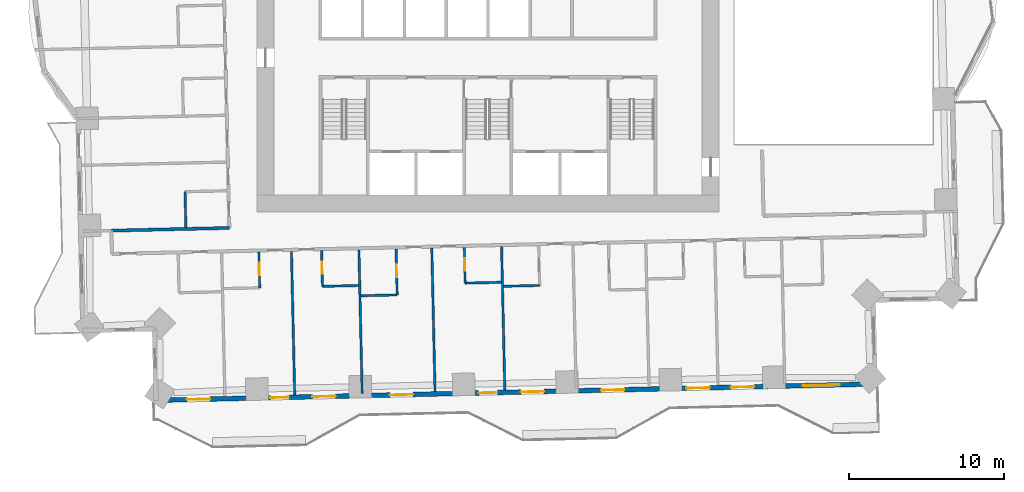
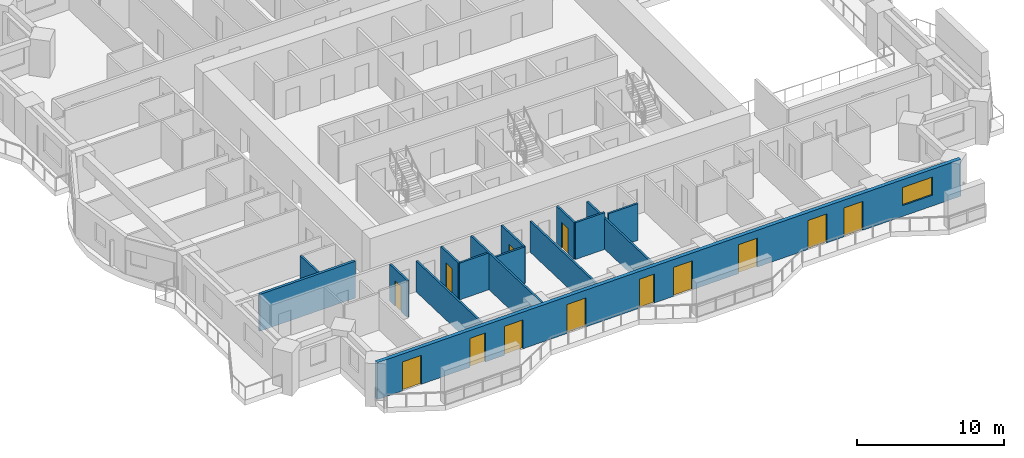
# One storey, part 6 of 17: 15 walls, 13 doors, 1 window, 14 openings.
"""IFC4 building model written with IfcOpenShell, lengths in metres."""

import ifcopenshell
import ifcopenshell.guid

model = None  # the IFC model being written
_history = None  # IfcOwnerHistory: only IFC2X3 demands one
_inside = {}  # id of a spatial element -> (the spatial element, [elements in it])
_under = {}  # id of a project, library or spatial element -> (it, [spatial elements below it])
_declared = {}  # id of a project -> (the project, [libraries it declares])
_typed = {}  # id of a type object -> (the type object, [elements of that type])
_made_of = {}  # id of a material, layer set ... -> (it, [elements and type objects made of it])


def new_model(schema):
    """Start an empty IFC model of exactly this schema.

    Asked for "IFC4X3", IfcOpenShell would pick the latest addendum, in which some entities
    have other attributes; the version numbers below select the first issue.
    IFC2X3 requires an IfcOwnerHistory on every rooted entity: one is made here for all.
    """
    global model, _history
    if schema == "IFC4X3":
        model = ifcopenshell.file(schema_version=(4, 3, 0, 0))
    else:
        model = ifcopenshell.file(schema=schema)
    _inside.clear()
    _under.clear()
    _declared.clear()
    _typed.clear()
    _made_of.clear()
    _history = None
    if model.schema == "IFC2X3":
        org = make("IfcOrganization", Name="unknown")
        user = make(
            "IfcPersonAndOrganization",
            ThePerson=make("IfcPerson", FamilyName="unknown"),
            TheOrganization=org,
        )
        app = make(
            "IfcApplication",
            ApplicationDeveloper=org,
            Version="unknown",
            ApplicationFullName="unknown",
            ApplicationIdentifier="unknown",
        )
        _history = make(
            "IfcOwnerHistory",
            OwningUser=user,
            OwningApplication=app,
            ChangeAction="ADDED",
            CreationDate=0,
        )
    return model


def make(cls, **values):
    """One entity of the class cls with the attributes given. An attribute that is None is left unset."""
    return model.create_entity(
        cls, **{name: value for name, value in values.items() if value is not None}
    )


def rooted(cls, **values):
    """An entity with a GlobalId (a new one), such as an element, a storey or a relation."""
    return make(cls, GlobalId=ifcopenshell.guid.new(), OwnerHistory=_history, **values)


def si_unit(unit_type, name, prefix=None):
    """IfcSIUnit, for example si_unit("LENGTHUNIT", "METRE", prefix="MILLI")."""
    return make("IfcSIUnit", UnitType=unit_type, Prefix=prefix, Name=name)


def assignment(units):
    """IfcUnitAssignment: the units of a project."""
    return None if units is None else make("IfcUnitAssignment", Units=units)


def point(xyz):
    """IfcCartesianPoint."""
    return None if xyz is None else make("IfcCartesianPoint", Coordinates=xyz)


def direction(xyz):
    """IfcDirection."""
    return None if xyz is None else make("IfcDirection", DirectionRatios=xyz)


def frame(location, z_axis=None, x_axis=None):
    """IfcAxis2Placement3D, a coordinate frame: its origin and axes. An axis left out is left unset."""
    return make(
        "IfcAxis2Placement3D",
        Location=point(location),
        Axis=direction(z_axis),
        RefDirection=direction(x_axis),
    )


def frame_2d(location, x_axis=None):
    """IfcAxis2Placement2D, a coordinate frame in the plane: its origin and x axis."""
    return make(
        "IfcAxis2Placement2D", Location=point(location), RefDirection=direction(x_axis)
    )


def origin():
    """The frame at (0, 0, 0) with its axes left unset."""
    return frame((0.0, 0.0, 0.0))


def place(relative_to, where):
    """IfcLocalPlacement: puts the frame where relative to a parent placement (None: the world)."""
    return make(
        "IfcLocalPlacement", PlacementRelTo=relative_to, RelativePlacement=where
    )


def context(
    kind, dimensions, precision=None, world=None, true_north=None, identifier=None
):
    """IfcGeometricRepresentationContext, for example the 3D "Model" context."""
    return make(
        "IfcGeometricRepresentationContext",
        ContextIdentifier=identifier,
        ContextType=kind,
        CoordinateSpaceDimension=dimensions,
        Precision=precision,
        WorldCoordinateSystem=world,
        TrueNorth=true_north,
    )


def subcontext(parent, identifier, kind, view, scale=None):
    """IfcGeometricRepresentationSubContext, for example "Body" below "Model"."""
    return make(
        "IfcGeometricRepresentationSubContext",
        ContextIdentifier=identifier,
        ContextType=kind,
        ParentContext=parent,
        TargetScale=scale,
        TargetView=view,
    )


def project(units=None, contexts=None):
    """IfcProject with its units and contexts."""
    return rooted(
        "IfcProject",
        Name="project",
        RepresentationContexts=contexts,
        UnitsInContext=assignment(units),
    )


def spatial(cls, under=None, at=None, **own):
    """A site, building, storey or space (cls), placed at a placement, below another one or the project."""
    s = rooted(cls, ObjectPlacement=at, **own)
    if under is not None:
        _under.setdefault(under.id(), (under, []))[1].append(s)
    return s


def profile(cls, at=None, kind="AREA", **sizes):
    """A parametric profile (cls). Its sizes go by their IFC names, for example OverallWidth=200.0."""
    return make(cls, ProfileType=kind, Position=at, **sizes)


def rectangle(**sizes):
    """IfcRectangleProfileDef."""
    return profile("IfcRectangleProfileDef", **sizes)


def extrude(swept, where, along, depth):
    """IfcExtrudedAreaSolid: the profile swept, set in the frame where, extruded along a direction by depth."""
    return make(
        "IfcExtrudedAreaSolid",
        SweptArea=swept,
        Position=where,
        ExtrudedDirection=direction(along),
        Depth=depth,
    )


def shape(context_of_items, identifier, shape_type, items):
    """IfcShapeRepresentation: the items that make up one representation, for example the "Body"."""
    return make(
        "IfcShapeRepresentation",
        ContextOfItems=context_of_items,
        RepresentationIdentifier=identifier,
        RepresentationType=shape_type,
        Items=items,
    )


def material(Name=None, Category=None):
    """IfcMaterial."""
    return make("IfcMaterial", Name=Name, Category=Category)


def layer(
    of_material, thickness, ventilated=None, Name=None, Category=None, Priority=None
):
    """IfcMaterialLayer: one layer of a wall or slab, of a material (None: an air gap)."""
    return make(
        "IfcMaterialLayer",
        Material=of_material,
        LayerThickness=thickness,
        IsVentilated=ventilated,
        Name=Name,
        Category=Category,
        Priority=Priority,
    )


def layer_set(layers, Name=None):
    """IfcMaterialLayerSet."""
    return make("IfcMaterialLayerSet", MaterialLayers=layers, LayerSetName=Name)


def made_of(thing, what):
    """Note that an element or type object is made of a material, layer set ...; save() writes the relation."""
    if what is not None:
        _made_of.setdefault(what.id(), (what, []))[1].append(thing)
    return thing


def type_object(cls, material=None, **own):
    """A type object (cls), such as IfcWallType, which elements share."""
    return made_of(rooted(cls, **own), material)


def element(
    cls,
    number,
    at=None,
    inside=None,
    cuts=None,
    type_object=None,
    material=None,
    context=None,
    identifier="Body",
    shape_type=None,
    held_by="IfcProductDefinitionShape",
    body=None,
    shapes=None,
    **own,
):
    """One element of the class cls, such as IfcWall. Its Tag is "e" and its number.

    at: its placement. inside: the storey or other place that contains it. cuts: it is an
    opening in that element (IfcRelVoidsElement). A single representation is given by context,
    identifier, shape_type and body (its items); several are given by shapes. held_by: the class
    of the entity that holds the representations. save() writes the other relations.
    """
    e = rooted(cls, Tag="e%d" % number, ObjectPlacement=at, **own)
    if body is not None:
        shapes = [shape(context, identifier, shape_type, body)]
    if shapes is not None:
        e.Representation = make(held_by, Representations=shapes)
    if inside is not None:
        _inside.setdefault(inside.id(), (inside, []))[1].append(e)
    if cuts is not None:
        rooted(
            "IfcRelVoidsElement", RelatingBuildingElement=cuts, RelatedOpeningElement=e
        )
    if type_object is not None:
        _typed.setdefault(type_object.id(), (type_object, []))[1].append(e)
    return made_of(e, material)


def fill(opening, filler):
    """IfcRelFillsElement: the door or window that sits in an opening."""
    return rooted(
        "IfcRelFillsElement",
        RelatingOpeningElement=opening,
        RelatedBuildingElement=filler,
    )


def aggregate(whole, parts):
    """IfcRelAggregates: a whole, such as a stair, and the parts it consists of."""
    return rooted("IfcRelAggregates", RelatingObject=whole, RelatedObjects=parts)


def save(model, path):
    """Write the relations noted so far, then the file.

    IfcRelAggregates (storeys below a building ...), IfcRelContainedInSpatialStructure (elements
    in a storey), IfcRelDefinesByType, IfcRelAssociatesMaterial and IfcRelDeclares: one each for
    every whole, place, type object, material and project.
    """
    for whole, parts in _under.values():
        aggregate(whole, parts)
    for where, things in _inside.values():
        rooted(
            "IfcRelContainedInSpatialStructure",
            RelatedElements=things,
            RelatingStructure=where,
        )
    for kind, things in _typed.values():
        rooted("IfcRelDefinesByType", RelatedObjects=things, RelatingType=kind)
    for what, things in _made_of.values():
        rooted("IfcRelAssociatesMaterial", RelatedObjects=things, RelatingMaterial=what)
    for by, libraries in _declared.values():
        rooted("IfcRelDeclares", RelatingContext=by, RelatedDefinitions=libraries)
    model.write(path)


model = new_model("IFC4")

# Units and contexts
model_context = context("Model", 3, precision=1e-05, world=origin(), true_north=direction((0.0, 1.0)))
body_context = subcontext(model_context, "Body", "Model", "MODEL_VIEW")
ifc_project = project(units=[si_unit("LENGTHUNIT", "METRE"), si_unit("AREAUNIT", "SQUARE_METRE"), si_unit("VOLUMEUNIT", "CUBIC_METRE"), si_unit("PLANEANGLEUNIT", "RADIAN"), si_unit("MASSUNIT", "GRAM", prefix="KILO")], contexts=[model_context])

# Site, building, storey
site_placement = place(None, origin())
site = spatial("IfcSite", under=ifc_project, at=site_placement, CompositionType="ELEMENT")
building_placement = place(site_placement, origin())
building = spatial("IfcBuilding", under=site, at=building_placement, Name="Mangrove Gate Tower", CompositionType="ELEMENT")
storey_placement = place(building_placement, frame((0.0, 0.0, 79.300048828125)))
storey = spatial("IfcBuildingStorey", under=building, at=storey_placement, Name="L19", CompositionType="ELEMENT", Elevation=79.300048828125)

# Wall
ifc_material_1 = material(Name="Gypsum board on steel stud, EI 60", Category="steel")
ifc_layer_1 = layer(ifc_material_1, 0.199951171875)
ifc_layer_set_1 = layer_set([ifc_layer_1], Name="Corridor wall EI 60")
wall_type_1 = type_object("IfcWallType", Name="Corridor wall EI 60", PredefinedType="PARTITIONING", material=ifc_layer_set_1)
wall_1_placement = place(storey_placement, frame((-24.282958984375, -13.091064453125, 0.0), z_axis=(0.0, 0.0, 1.0), x_axis=(0.999741006317, 0.022757862116, 0.0)))
element("IfcWall", 1, at=wall_1_placement, inside=storey, type_object=wall_type_1, Name="WALL-L19-034", PredefinedType="PARTITIONING", context=body_context, shape_type="SweptSolid", body=[
    extrude(rectangle(XDim=7.60595703125, YDim=0.199951171875, at=frame_2d((3.802978515625, 0.0))), origin(), (0.0, 0.0, 1.0), 3.050048828125),
])

# Wall, openings, doors, window
ifc_material_2 = material(Name="Limestone", Category="masonry")
ifc_layer_2 = layer(ifc_material_2, 0.0400390625, Name="Limestone cladding")
ifc_material_3 = material(Name="Ventilated air gap")
ifc_layer_3 = layer(ifc_material_3, 0.0400390625, Name="Ventilated cavity")
ifc_material_4 = material(Name="Mineral wool insulation")
ifc_layer_4 = layer(ifc_material_4, 0.06005859375, Name="Insulation")
ifc_material_5 = material(Name="Breather membrane")
ifc_layer_5 = layer(ifc_material_5, 0.001953125, Name="Breather membrane")
ifc_material_6 = material(Name="Concrete C20/25 blockwork", Category="masonry")
ifc_layer_6 = layer(ifc_material_6, 0.14990234375, Name="Blockwork backing wall")
ifc_material_7 = material(Name="Gypsum plaster")
ifc_layer_7 = layer(ifc_material_7, 0.008056640625, Name="Internal plaster")
ifc_layer_set_2 = layer_set([ifc_layer_2, ifc_layer_3, ifc_layer_4, ifc_layer_5, ifc_layer_6, ifc_layer_7], Name="External wall 300 limestone cladding")
wall_type_2 = type_object("IfcWallType", Name="External wall 300 limestone cladding", PredefinedType="SOLIDWALL", material=ifc_layer_set_2)
wall_2_placement = place(storey_placement, frame((-21.408935546875, -24.029052734375, 0.0), z_axis=(0.0, 0.0, 1.0), x_axis=(0.999742634032, 0.022686244721, 0.0)))
wall_2 = element("IfcWall", 2, at=wall_2_placement, inside=storey, type_object=wall_type_2, Name="WALL-L19-S13", PredefinedType="SOLIDWALL", context=body_context, shape_type="SweptSolid", body=[
    extrude(rectangle(XDim=46.371826171875, YDim=0.300048828125, at=frame_2d((23.18603515625, 0.0))), origin(), (0.0, 0.0, 1.0), 3.050048828125),
])
opening_1_placement = place(wall_2_placement, frame((1.985107421875, 0.0, 0.0)))
opening_1 = element("IfcOpeningElement", 3, at=opening_1_placement, cuts=wall_2, Name="Opening BD1", PredefinedType="OPENING", context=body_context, shape_type="SweptSolid", body=[
    extrude(rectangle(XDim=1.5, YDim=2.39990234375, at=frame_2d((0.75, 1.199951171875))), frame((0.0, 0.159912109375, 0.0), z_axis=(0.0, -1.0, 0.0), x_axis=(1.0, 0.0, 0.0)), (0.0, 0.0, 1.0), 0.320068359375),
])
opening_2_placement = place(wall_2_placement, frame((7.37109375, 0.0, 0.0)))
opening_2 = element("IfcOpeningElement", 4, at=opening_2_placement, cuts=wall_2, Name="Opening BD2", PredefinedType="OPENING", context=body_context, shape_type="SweptSolid", body=[
    extrude(rectangle(XDim=1.199951171875, YDim=2.39990234375, at=frame_2d((0.60009765625, 1.199951171875))), frame((0.0, 0.159912109375, 0.0), z_axis=(0.0, -1.0, 0.0), x_axis=(1.0, 0.0, 0.0)), (0.0, 0.0, 1.0), 0.320068359375),
])
opening_3_placement = place(wall_2_placement, frame((10.080078125, 0.0, 0.0)))
opening_3 = element("IfcOpeningElement", 5, at=opening_3_placement, cuts=wall_2, Name="Opening BD1", PredefinedType="OPENING", context=body_context, shape_type="SweptSolid", body=[
    extrude(rectangle(XDim=1.5, YDim=2.39990234375, at=frame_2d((0.75, 1.199951171875))), frame((0.0, 0.159912109375, 0.0), z_axis=(0.0, -1.0, 0.0), x_axis=(1.0, 0.0, 0.0)), (0.0, 0.0, 1.0), 0.320068359375),
])
opening_4_placement = place(wall_2_placement, frame((15.080078125, 0.0, 0.0)))
opening_4 = element("IfcOpeningElement", 6, at=opening_4_placement, cuts=wall_2, Name="Opening BD1", PredefinedType="OPENING", context=body_context, shape_type="SweptSolid", body=[
    extrude(rectangle(XDim=1.5, YDim=2.39990234375, at=frame_2d((0.75, 1.199951171875))), frame((0.0, 0.159912109375, 0.0), z_axis=(0.0, -1.0, 0.0), x_axis=(1.0, 0.0, 0.0)), (0.0, 0.0, 1.0), 0.320068359375),
])
opening_5_placement = place(wall_2_placement, frame((20.81298828125, 0.0, 0.0)))
opening_5 = element("IfcOpeningElement", 7, at=opening_5_placement, cuts=wall_2, Name="Opening BD2", PredefinedType="OPENING", context=body_context, shape_type="SweptSolid", body=[
    extrude(rectangle(XDim=1.199951171875, YDim=2.39990234375, at=frame_2d((0.60009765625, 1.199951171875))), frame((0.0, 0.159912109375, 0.0), z_axis=(0.0, -1.0, 0.0), x_axis=(1.0, 0.0, 0.0)), (0.0, 0.0, 1.0), 0.320068359375),
])
opening_6_placement = place(wall_2_placement, frame((23.52197265625, 0.0, 0.0)))
opening_6 = element("IfcOpeningElement", 8, at=opening_6_placement, cuts=wall_2, Name="Opening BD1", PredefinedType="OPENING", context=body_context, shape_type="SweptSolid", body=[
    extrude(rectangle(XDim=1.5, YDim=2.39990234375, at=frame_2d((0.75, 1.199951171875))), frame((0.0, 0.159912109375, 0.0), z_axis=(0.0, -1.0, 0.0), x_axis=(1.0, 0.0, 0.0)), (0.0, 0.0, 1.0), 0.320068359375),
])
opening_7_placement = place(wall_2_placement, frame((28.699951171875, 0.0, 0.0)))
opening_7 = element("IfcOpeningElement", 9, at=opening_7_placement, cuts=wall_2, Name="Opening BD1", PredefinedType="OPENING", context=body_context, shape_type="SweptSolid", body=[
    extrude(rectangle(XDim=1.5, YDim=2.39990234375, at=frame_2d((0.75, 1.199951171875))), frame((0.0, 0.159912109375, 0.0), z_axis=(0.0, -1.0, 0.0), x_axis=(1.0, 0.0, 0.0)), (0.0, 0.0, 1.0), 0.320068359375),
])
opening_8_placement = place(wall_2_placement, frame((34.2060546875, 0.0, 0.0)))
opening_8 = element("IfcOpeningElement", 10, at=opening_8_placement, cuts=wall_2, Name="Opening BD1", PredefinedType="OPENING", context=body_context, shape_type="SweptSolid", body=[
    extrude(rectangle(XDim=1.5, YDim=2.39990234375, at=frame_2d((0.75, 1.199951171875))), frame((0.0, 0.159912109375, 0.0), z_axis=(0.0, -1.0, 0.0), x_axis=(1.0, 0.0, 0.0)), (0.0, 0.0, 1.0), 0.320068359375),
])
opening_9_placement = place(wall_2_placement, frame((37.06494140625, 0.0, 0.0)))
opening_9 = element("IfcOpeningElement", 11, at=opening_9_placement, cuts=wall_2, Name="Opening BD1", PredefinedType="OPENING", context=body_context, shape_type="SweptSolid", body=[
    extrude(rectangle(XDim=1.5, YDim=2.39990234375, at=frame_2d((0.75, 1.199951171875))), frame((0.0, 0.159912109375, 0.0), z_axis=(0.0, -1.0, 0.0), x_axis=(1.0, 0.0, 0.0)), (0.0, 0.0, 1.0), 0.320068359375),
])
opening_10_placement = place(wall_2_placement, frame((41.697998046875, 0.0, 0.89990234375)))
opening_10 = element("IfcOpeningElement", 12, at=opening_10_placement, cuts=wall_2, Name="Opening W2", PredefinedType="OPENING", context=body_context, shape_type="SweptSolid", body=[
    extrude(rectangle(XDim=2.39990234375, YDim=1.5, at=frame_2d((1.199951171875, 0.75))), frame((0.0, 0.159912109375, 0.0), z_axis=(0.0, -1.0, 0.0), x_axis=(1.0, 0.0, 0.0)), (0.0, 0.0, 1.0), 0.320068359375),
])
ifc_material_8 = material(Name="Aluminium frame with laminated clear glass", Category="aluminium")
door_type_1 = type_object("IfcDoorType", Name="Balcony sliding door 1200x2400", OperationType="SLIDING_TO_LEFT", PredefinedType="DOOR", material=ifc_material_8)
door_1_placement = place(opening_2_placement, origin())
door_1 = element("IfcDoor", 13, at=door_1_placement, inside=storey, type_object=door_type_1, Name="DOOR-L19-S13-2", OperationType="SLIDING_TO_LEFT", OverallHeight=2.39990234375, OverallWidth=1.199951171875, PredefinedType="DOOR", context=body_context, shape_type="SweptSolid", body=[
    extrude(rectangle(XDim=1.199951171875, YDim=2.39990234375, at=frame_2d((0.60009765625, 1.199951171875))), frame((0.0, 0.02490234375, 0.0), z_axis=(0.0, -1.0, 0.0), x_axis=(1.0, 0.0, 0.0)), (0.0, 0.0, 1.0), 0.050048828125),
])
fill(opening_2, door_1)
door_2_placement = place(opening_5_placement, origin())
door_2 = element("IfcDoor", 14, at=door_2_placement, inside=storey, type_object=door_type_1, Name="DOOR-L19-S13-5", OperationType="SLIDING_TO_LEFT", OverallHeight=2.39990234375, OverallWidth=1.199951171875, PredefinedType="DOOR", context=body_context, shape_type="SweptSolid", body=[
    extrude(rectangle(XDim=1.199951171875, YDim=2.39990234375, at=frame_2d((0.60009765625, 1.199951171875))), frame((0.0, 0.02490234375, 0.0), z_axis=(0.0, -1.0, 0.0), x_axis=(1.0, 0.0, 0.0)), (0.0, 0.0, 1.0), 0.050048828125),
])
fill(opening_5, door_2)
ifc_material_9 = material(Name="Aluminium frame with laminated clear glass", Category="aluminium")
door_type_2 = type_object("IfcDoorType", Name="Balcony sliding door 1500x2400", OperationType="SLIDING_TO_LEFT", PredefinedType="DOOR", material=ifc_material_9)
door_3_placement = place(opening_1_placement, origin())
door_3 = element("IfcDoor", 15, at=door_3_placement, inside=storey, type_object=door_type_2, Name="DOOR-L19-S13-1", OperationType="SLIDING_TO_LEFT", OverallHeight=2.39990234375, OverallWidth=1.5, PredefinedType="DOOR", context=body_context, shape_type="SweptSolid", body=[
    extrude(rectangle(XDim=1.5, YDim=2.39990234375, at=frame_2d((0.75, 1.199951171875))), frame((0.0, 0.02490234375, 0.0), z_axis=(0.0, -1.0, 0.0), x_axis=(1.0, 0.0, 0.0)), (0.0, 0.0, 1.0), 0.050048828125),
])
fill(opening_1, door_3)
door_4_placement = place(opening_3_placement, origin())
door_4 = element("IfcDoor", 16, at=door_4_placement, inside=storey, type_object=door_type_2, Name="DOOR-L19-S13-3", OperationType="SLIDING_TO_LEFT", OverallHeight=2.39990234375, OverallWidth=1.5, PredefinedType="DOOR", context=body_context, shape_type="SweptSolid", body=[
    extrude(rectangle(XDim=1.5, YDim=2.39990234375, at=frame_2d((0.75, 1.199951171875))), frame((0.0, 0.02490234375, 0.0), z_axis=(0.0, -1.0, 0.0), x_axis=(1.0, 0.0, 0.0)), (0.0, 0.0, 1.0), 0.050048828125),
])
fill(opening_3, door_4)
door_5_placement = place(opening_4_placement, origin())
door_5 = element("IfcDoor", 17, at=door_5_placement, inside=storey, type_object=door_type_2, Name="DOOR-L19-S13-4", OperationType="SLIDING_TO_LEFT", OverallHeight=2.39990234375, OverallWidth=1.5, PredefinedType="DOOR", context=body_context, shape_type="SweptSolid", body=[
    extrude(rectangle(XDim=1.5, YDim=2.39990234375, at=frame_2d((0.75, 1.199951171875))), frame((0.0, 0.02490234375, 0.0), z_axis=(0.0, -1.0, 0.0), x_axis=(1.0, 0.0, 0.0)), (0.0, 0.0, 1.0), 0.050048828125),
])
fill(opening_4, door_5)
door_6_placement = place(opening_6_placement, origin())
door_6 = element("IfcDoor", 18, at=door_6_placement, inside=storey, type_object=door_type_2, Name="DOOR-L19-S13-6", OperationType="SLIDING_TO_LEFT", OverallHeight=2.39990234375, OverallWidth=1.5, PredefinedType="DOOR", context=body_context, shape_type="SweptSolid", body=[
    extrude(rectangle(XDim=1.5, YDim=2.39990234375, at=frame_2d((0.75, 1.199951171875))), frame((0.0, 0.02490234375, 0.0), z_axis=(0.0, -1.0, 0.0), x_axis=(1.0, 0.0, 0.0)), (0.0, 0.0, 1.0), 0.050048828125),
])
fill(opening_6, door_6)
door_7_placement = place(opening_7_placement, origin())
door_7 = element("IfcDoor", 19, at=door_7_placement, inside=storey, type_object=door_type_2, Name="DOOR-L19-S13-7", OperationType="SLIDING_TO_LEFT", OverallHeight=2.39990234375, OverallWidth=1.5, PredefinedType="DOOR", context=body_context, shape_type="SweptSolid", body=[
    extrude(rectangle(XDim=1.5, YDim=2.39990234375, at=frame_2d((0.75, 1.199951171875))), frame((0.0, 0.02490234375, 0.0), z_axis=(0.0, -1.0, 0.0), x_axis=(1.0, 0.0, 0.0)), (0.0, 0.0, 1.0), 0.050048828125),
])
fill(opening_7, door_7)
door_8_placement = place(opening_8_placement, origin())
door_8 = element("IfcDoor", 20, at=door_8_placement, inside=storey, type_object=door_type_2, Name="DOOR-L19-S13-8", OperationType="SLIDING_TO_LEFT", OverallHeight=2.39990234375, OverallWidth=1.5, PredefinedType="DOOR", context=body_context, shape_type="SweptSolid", body=[
    extrude(rectangle(XDim=1.5, YDim=2.39990234375, at=frame_2d((0.75, 1.199951171875))), frame((0.0, 0.02490234375, 0.0), z_axis=(0.0, -1.0, 0.0), x_axis=(1.0, 0.0, 0.0)), (0.0, 0.0, 1.0), 0.050048828125),
])
fill(opening_8, door_8)
door_9_placement = place(opening_9_placement, origin())
door_9 = element("IfcDoor", 21, at=door_9_placement, inside=storey, type_object=door_type_2, Name="DOOR-L19-S13-9", OperationType="SLIDING_TO_LEFT", OverallHeight=2.39990234375, OverallWidth=1.5, PredefinedType="DOOR", context=body_context, shape_type="SweptSolid", body=[
    extrude(rectangle(XDim=1.5, YDim=2.39990234375, at=frame_2d((0.75, 1.199951171875))), frame((0.0, 0.02490234375, 0.0), z_axis=(0.0, -1.0, 0.0), x_axis=(1.0, 0.0, 0.0)), (0.0, 0.0, 1.0), 0.050048828125),
])
fill(opening_9, door_9)
ifc_material_10 = material(Name="Aluminium frame with double-glazed low-e glass", Category="aluminium")
window_type = type_object("IfcWindowType", Name="Corner room window 2400x1500", PartitioningType="DOUBLE_PANEL_VERTICAL", PredefinedType="WINDOW", material=ifc_material_10)
window_placement = place(opening_10_placement, origin())
window = element("IfcWindow", 22, at=window_placement, inside=storey, type_object=window_type, Name="WIN-L19-S13-10", OverallHeight=1.5, OverallWidth=2.39990234375, PartitioningType="DOUBLE_PANEL_VERTICAL", PredefinedType="WINDOW", context=body_context, shape_type="SweptSolid", body=[
    extrude(rectangle(XDim=2.39990234375, YDim=1.5, at=frame_2d((1.199951171875, 0.75))), frame((0.0, 0.030029296875, 0.0), z_axis=(0.0, -1.0, 0.0), x_axis=(1.0, 0.0, 0.0)), (0.0, 0.0, 1.0), 0.06005859375),
])
fill(opening_10, window)

# Walls
ifc_material_11 = material(Name="Gypsum board on steel stud, EI 60", Category="steel")
ifc_layer_8 = layer(ifc_material_11, 0.14990234375)
ifc_layer_set_3 = layer_set([ifc_layer_8], Name="Party wall 150 EI 60")
wall_type_3 = type_object("IfcWallType", Name="Party wall 150 EI 60", PredefinedType="PARTITIONING", material=ifc_layer_set_3)
wall_3_placement = place(storey_placement, frame((-12.468994140625, -23.676025390625, 0.0), z_axis=(0.0, 0.0, 1.0), x_axis=(-0.022697424684, 0.999742380272, 0.0)))
element("IfcWall", 23, at=wall_3_placement, inside=storey, type_object=wall_type_3, Name="WALL-L19-002", PredefinedType="PARTITIONING", context=body_context, shape_type="SweptSolid", body=[
    extrude(rectangle(XDim=9.25048828125, YDim=0.14990234375, at=frame_2d((4.625244140625, 0.0))), origin(), (0.0, 0.0, 1.0), 2.550048828125),
])
wall_4_placement = place(storey_placement, frame((-8.1201171875, -23.576904296875, 0.0), z_axis=(0.0, 0.0, 1.0), x_axis=(-0.022698023584, 0.999742366675, 0.0)))
element("IfcWall", 24, at=wall_4_placement, inside=storey, type_object=wall_type_3, Name="WALL-L19-003", PredefinedType="PARTITIONING", context=body_context, shape_type="SweptSolid", body=[
    extrude(rectangle(XDim=9.250244140625, YDim=0.14990234375, at=frame_2d((4.625, 0.0))), origin(), (0.0, 0.0, 1.0), 3.050048828125),
])
wall_5_placement = place(storey_placement, frame((-3.4208984375, -23.470947265625, 0.0), z_axis=(0.0, 0.0, 1.0), x_axis=(-0.022723803418, 0.999741781041, 0.0)))
element("IfcWall", 25, at=wall_5_placement, inside=storey, type_object=wall_type_3, Name="WALL-L19-004", PredefinedType="PARTITIONING", context=body_context, shape_type="SweptSolid", body=[
    extrude(rectangle(XDim=9.25048828125, YDim=0.14990234375, at=frame_2d((4.625244140625, 0.0))), origin(), (0.0, 0.0, 1.0), 2.550048828125),
])
wall_6_placement = place(storey_placement, frame((1.076904296875, -23.368896484375, 0.0), z_axis=(0.0, 0.0, 1.0), x_axis=(-0.022592505393, 0.999744756775, 0.0)))
element("IfcWall", 26, at=wall_6_placement, inside=storey, type_object=wall_type_3, Name="WALL-L19-005", PredefinedType="PARTITIONING", context=body_context, shape_type="SweptSolid", body=[
    extrude(rectangle(XDim=9.250244140625, YDim=0.14990234375, at=frame_2d((4.625, 0.0))), origin(), (0.0, 0.0, 1.0), 2.550048828125),
])
wall_7_placement = place(storey_placement, frame((-8.18408203125, -17.287109375, 0.0), z_axis=(0.0, 0.0, 1.0), x_axis=(0.999738137323, 0.022883548292, 0.0)))
element("IfcWall", 27, at=wall_7_placement, inside=storey, type_object=wall_type_3, Name="WALL-L19-010", PredefinedType="PARTITIONING", context=body_context, shape_type="SweptSolid", body=[
    extrude(rectangle(XDim=2.32568359375, YDim=0.14990234375, at=frame_2d((1.162841796875, 0.0))), origin(), (0.0, 0.0, 1.0), 3.050048828125),
])

# Wall, opening, door
wall_8_placement = place(storey_placement, frame((-5.863037109375, -17.23388671875, 0.0), z_axis=(0.0, 0.0, 1.0), x_axis=(-0.022931262231, 0.999737044033, 0.0)))
wall_8 = element("IfcWall", 28, at=wall_8_placement, inside=storey, type_object=wall_type_3, Name="WALL-L19-011", PredefinedType="PARTITIONING", context=body_context, shape_type="SweptSolid", body=[
    extrude(rectangle(XDim=2.959716796875, YDim=0.14990234375, at=frame_2d((1.47998046875, 0.0))), origin(), (0.0, 0.0, 1.0), 3.050048828125),
])
opening_11_placement = place(wall_8_placement, frame((1.1298828125, 0.0, 0.0)))
opening_11 = element("IfcOpeningElement", 29, at=opening_11_placement, cuts=wall_8, Name="Opening ED", PredefinedType="OPENING", context=body_context, shape_type="SweptSolid", body=[
    extrude(rectangle(XDim=0.800048828125, YDim=2.10009765625, at=frame_2d((0.39990234375, 1.050048828125))), frame((0.0, 0.0849609375, 0.0), z_axis=(0.0, -1.0, 0.0), x_axis=(1.0, 0.0, 0.0)), (0.0, 0.0, 1.0), 0.169921875),
])
ifc_material_12 = material(Name="Timber door leaf", Category="wood")
door_type_3 = type_object("IfcDoorType", Name="En-suite door 800", OperationType="SINGLE_SWING_LEFT", PredefinedType="DOOR", material=ifc_material_12)
door_10_placement = place(opening_11_placement, origin())
door_10 = element("IfcDoor", 30, at=door_10_placement, inside=storey, type_object=door_type_3, Name="DOOR-L19-ENS-c103", OperationType="SINGLE_SWING_LEFT", OverallHeight=2.10009765625, OverallWidth=0.800048828125, PredefinedType="DOOR", context=body_context, shape_type="SweptSolid", body=[
    extrude(rectangle(XDim=0.800048828125, YDim=2.10009765625, at=frame_2d((0.39990234375, 1.050048828125))), frame((0.0, 0.02490234375, 0.0), z_axis=(0.0, -1.0, 0.0), x_axis=(1.0, 0.0, 0.0)), (0.0, 0.0, 1.0), 0.050048828125),
])
fill(opening_11, door_10)

# Wall
wall_9_placement = place(storey_placement, frame((1.0048828125, -16.677978515625, 0.0), z_axis=(0.0, 0.0, 1.0), x_axis=(0.99974031529, 0.022788198363, 0.0)))
element("IfcWall", 31, at=wall_9_placement, inside=storey, type_object=wall_type_3, Name="WALL-L19-016", PredefinedType="PARTITIONING", context=body_context, shape_type="SweptSolid", body=[
    extrude(rectangle(XDim=2.32470703125, YDim=0.14990234375, at=frame_2d((1.162353515625, 0.0))), origin(), (0.0, 0.0, 1.0), 3.050048828125),
])

# Wall, opening, door
wall_10_placement = place(storey_placement, frame((-14.72607421875, -16.77490234375, 0.0), z_axis=(0.0, 0.0, 1.0), x_axis=(-0.022615284993, 0.999744241736, 0.0)))
wall_10 = element("IfcWall", 32, at=wall_10_placement, inside=storey, type_object=wall_type_3, Name="WALL-L19-021", PredefinedType="PARTITIONING", context=body_context, shape_type="SweptSolid", body=[
    extrude(rectangle(XDim=2.29931640625, YDim=0.14990234375, at=frame_2d((1.149658203125, 0.0))), origin(), (0.0, 0.0, 1.0), 3.050048828125),
])
opening_12_placement = place(wall_10_placement, frame((0.800048828125, 0.0, 0.0)))
opening_12 = element("IfcOpeningElement", 33, at=opening_12_placement, cuts=wall_10, Name="Opening ED", PredefinedType="OPENING", context=body_context, shape_type="SweptSolid", body=[
    extrude(rectangle(XDim=0.800048828125, YDim=2.10009765625, at=frame_2d((0.39990234375, 1.050048828125))), frame((0.0, 0.0849609375, 0.0), z_axis=(0.0, -1.0, 0.0), x_axis=(1.0, 0.0, 0.0)), (0.0, 0.0, 1.0), 0.169921875),
])
door_11_placement = place(opening_12_placement, origin())
door_11 = element("IfcDoor", 34, at=door_11_placement, inside=storey, type_object=door_type_3, Name="DOOR-L19-ENS-c101", OperationType="SINGLE_SWING_LEFT", OverallHeight=2.10009765625, OverallWidth=0.800048828125, PredefinedType="DOOR", context=body_context, shape_type="SweptSolid", body=[
    extrude(rectangle(XDim=0.800048828125, YDim=2.10009765625, at=frame_2d((0.39990234375, 1.050048828125))), frame((0.0, 0.02490234375, 0.0), z_axis=(0.0, -1.0, 0.0), x_axis=(1.0, 0.0, 0.0)), (0.0, 0.0, 1.0), 0.050048828125),
])
fill(opening_12, door_11)

wall_11_placement = place(storey_placement, frame((-10.677001953125, -16.68310546875, 0.0), z_axis=(0.0, 0.0, 1.0), x_axis=(-0.022612884682, 0.999744296031, 0.0)))
wall_11 = element("IfcWall", 35, at=wall_11_placement, inside=storey, type_object=wall_type_3, Name="WALL-L19-022", PredefinedType="PARTITIONING", context=body_context, shape_type="SweptSolid", body=[
    extrude(rectangle(XDim=2.299560546875, YDim=0.14990234375, at=frame_2d((1.14990234375, 0.0))), origin(), (0.0, 0.0, 1.0), 3.050048828125),
])
opening_13_placement = place(wall_11_placement, frame((0.800048828125, 0.0, 0.0)))
opening_13 = element("IfcOpeningElement", 36, at=opening_13_placement, cuts=wall_11, Name="Opening ED", PredefinedType="OPENING", context=body_context, shape_type="SweptSolid", body=[
    extrude(rectangle(XDim=0.800048828125, YDim=2.10009765625, at=frame_2d((0.39990234375, 1.050048828125))), frame((0.0, 0.0849609375, 0.0), z_axis=(0.0, -1.0, 0.0), x_axis=(1.0, 0.0, 0.0)), (0.0, 0.0, 1.0), 0.169921875),
])
door_12_placement = place(opening_13_placement, origin())
door_12 = element("IfcDoor", 37, at=door_12_placement, inside=storey, type_object=door_type_3, Name="DOOR-L19-ENS-c102", OperationType="SINGLE_SWING_RIGHT", OverallHeight=2.10009765625, OverallWidth=0.800048828125, PredefinedType="DOOR", context=body_context, shape_type="SweptSolid", body=[
    extrude(rectangle(XDim=0.800048828125, YDim=2.10009765625, at=frame_2d((0.39990234375, 1.050048828125))), frame((0.0, 0.02490234375, 0.0), z_axis=(0.0, -1.0, 0.0), x_axis=(1.0, 0.0, 0.0)), (0.0, 0.0, 1.0), 0.050048828125),
])
fill(opening_13, door_12)

# Wall
wall_12_placement = place(storey_placement, frame((-10.673095703125, -16.68310546875, 0.0), z_axis=(0.0, 0.0, 1.0), x_axis=(0.999737862264, 0.022895561926, 0.0)))
element("IfcWall", 38, at=wall_12_placement, inside=storey, type_object=wall_type_3, Name="WALL-L19-023", PredefinedType="PARTITIONING", context=body_context, shape_type="SweptSolid", body=[
    extrude(rectangle(XDim=2.324462890625, YDim=0.14990234375, at=frame_2d((1.162109375, 0.0))), origin(), (0.0, 0.0, 1.0), 3.050048828125),
])

# Wall, opening, door
wall_13_placement = place(storey_placement, frame((-1.47998046875, -16.47509765625, 0.0), z_axis=(0.0, 0.0, 1.0), x_axis=(-0.022603288534, 0.999744513037, 0.0)))
wall_13 = element("IfcWall", 39, at=wall_13_placement, inside=storey, type_object=wall_type_3, Name="WALL-L19-024", PredefinedType="PARTITIONING", context=body_context, shape_type="SweptSolid", body=[
    extrude(rectangle(XDim=2.300537109375, YDim=0.14990234375, at=frame_2d((1.150390625, 0.0))), origin(), (0.0, 0.0, 1.0), 3.050048828125),
])
opening_14_placement = place(wall_13_placement, frame((0.800048828125, 0.0, 0.0)))
opening_14 = element("IfcOpeningElement", 40, at=opening_14_placement, cuts=wall_13, Name="Opening ED", PredefinedType="OPENING", context=body_context, shape_type="SweptSolid", body=[
    extrude(rectangle(XDim=0.800048828125, YDim=2.10009765625, at=frame_2d((0.39990234375, 1.050048828125))), frame((0.0, 0.0849609375, 0.0), z_axis=(0.0, -1.0, 0.0), x_axis=(1.0, 0.0, 0.0)), (0.0, 0.0, 1.0), 0.169921875),
])
door_13_placement = place(opening_14_placement, origin())
door_13 = element("IfcDoor", 41, at=door_13_placement, inside=storey, type_object=door_type_3, Name="DOOR-L19-ENS-c104", OperationType="SINGLE_SWING_RIGHT", OverallHeight=2.10009765625, OverallWidth=0.800048828125, PredefinedType="DOOR", context=body_context, shape_type="SweptSolid", body=[
    extrude(rectangle(XDim=0.800048828125, YDim=2.10009765625, at=frame_2d((0.39990234375, 1.050048828125))), frame((0.0, 0.02490234375, 0.0), z_axis=(0.0, -1.0, 0.0), x_axis=(1.0, 0.0, 0.0)), (0.0, 0.0, 1.0), 0.050048828125),
])
fill(opening_14, door_13)

# Walls
wall_14_placement = place(storey_placement, frame((-1.47607421875, -16.47412109375, 0.0), z_axis=(0.0, 0.0, 1.0), x_axis=(0.999750007167, 0.022358961731, 0.0)))
element("IfcWall", 42, at=wall_14_placement, inside=storey, type_object=wall_type_3, Name="WALL-L19-025", PredefinedType="PARTITIONING", context=body_context, shape_type="SweptSolid", body=[
    extrude(rectangle(XDim=2.32568359375, YDim=0.14990234375, at=frame_2d((1.162841796875, 0.0))), origin(), (0.0, 0.0, 1.0), 3.050048828125),
])
wall_15_placement = place(storey_placement, frame((-19.486083984375, -12.882080078125, 0.0), z_axis=(0.0, 0.0, 1.0), x_axis=(-0.022612884682, 0.999744296031, 0.0)))
element("IfcWall", 43, at=wall_15_placement, inside=storey, type_object=wall_type_3, Name="WALL-L19-035", PredefinedType="PARTITIONING", context=body_context, shape_type="SweptSolid", body=[
    extrude(rectangle(XDim=2.299560546875, YDim=0.14990234375, at=frame_2d((1.14990234375, 0.0))), origin(), (0.0, 0.0, 1.0), 3.050048828125),
])

save(model, "model.ifc")
